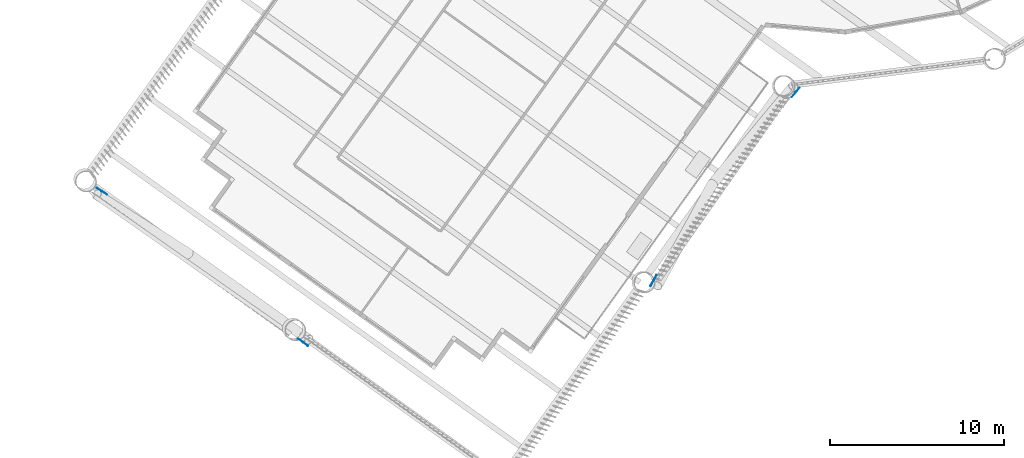
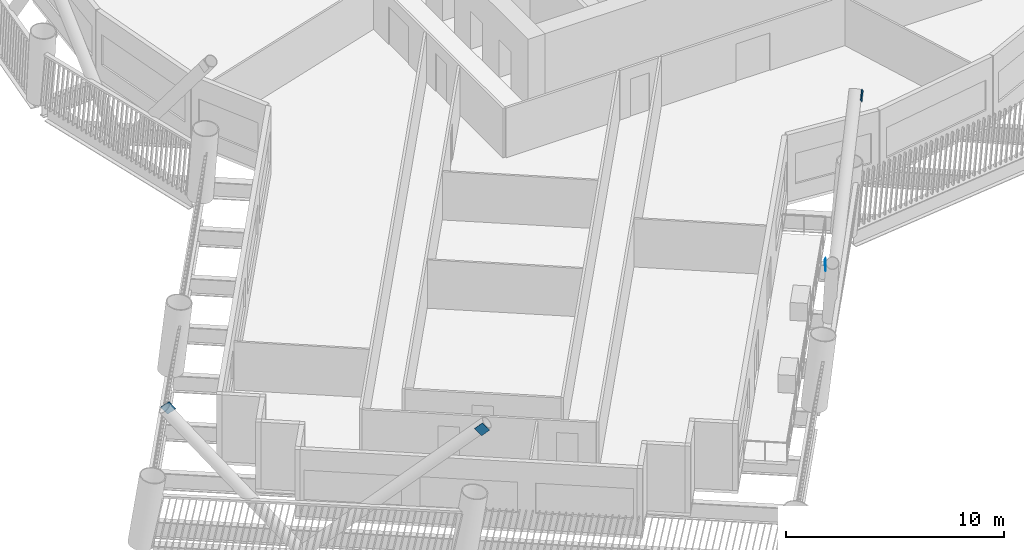
# One storey, part 8 of 21: 4 discrete accessories.
"""IFC4 building model written with IfcOpenShell, lengths in metres."""

from ifc_helpers import new_model, si_unit, direction, frame, origin, origin_2d, place, context, subcontext, project, spatial, rectangle, extrude, material, material_profile, profile_set, type_object, element, save


model = new_model("IFC4")

# Units and contexts
model_context = context("Model", 3, precision=1e-05, world=origin(), true_north=direction((0.0, 1.0)))
body_context = subcontext(model_context, "Body", "Model", "MODEL_VIEW")
ifc_project = project(units=[si_unit("LENGTHUNIT", "METRE"), si_unit("AREAUNIT", "SQUARE_METRE"), si_unit("VOLUMEUNIT", "CUBIC_METRE"), si_unit("PLANEANGLEUNIT", "RADIAN"), si_unit("MASSUNIT", "GRAM", prefix="KILO")], contexts=[model_context])

# Site, building, storey
site_placement = place(None, origin())
site = spatial("IfcSite", under=ifc_project, at=site_placement, CompositionType="ELEMENT")
building_placement = place(site_placement, origin())
building = spatial("IfcBuilding", under=site, at=building_placement, Name="Tarsis Ring Headquarters", CompositionType="ELEMENT")
storey_placement = place(building_placement, frame((0.0, 0.0, 47.800048828125)))
storey = spatial("IfcBuildingStorey", under=building, at=storey_placement, Name="L09", CompositionType="ELEMENT", Elevation=47.800048828125)

# Discrete accessories
ifc_material = material(Name="Structural steel S355", Category="steel")
ifc_material_profile = material_profile(ifc_material, rectangle(XDim=0.02490234375, YDim=0.5, at=origin_2d()), Name="PL 25x500")
ifc_profile_set = profile_set([ifc_material_profile], Name="Structural steel S355")
discrete_accessory_type = type_object("IfcDiscreteAccessoryType", Name="Gusset plate Exo brace 25", PredefinedType="BRACKET", material=ifc_profile_set)
for number, where, z_axis, x_axis, name in (
    (1, (-30.0146484375, -43.82421875, 7.800048828125), (-0.599535479369, 0.428169882253, -0.67618618805), (-0.581175505493, -0.813778244864, 0.0), "Gusset plate GP5"),
    (2, (-41.86962890625, -34.93798828125, 7.800048828125), (0.527247405478, -0.341246237434, -0.778178115122), (0.543347965808, 0.839507586656, 0.0), "Gusset plate GP5"),
    (3, (-1.665771484375, -29.188232421875, 7.800048828125), (-0.435934870537, -0.525269788015, -0.73078891511), (0.769509348926, -0.638635547018, 0.0), "Gusset plate GP5"),
):
    element("IfcDiscreteAccessory", number, at=place(storey_placement, frame(where, z_axis=z_axis, x_axis=x_axis)), inside=storey, type_object=discrete_accessory_type, Name=name, PredefinedType="BRACKET", context=body_context, shape_type="SweptSolid", body=[
        extrude(rectangle(XDim=0.02490234375, YDim=0.5, at=origin_2d()), origin(), (0.0, 0.0, 1.0), 0.5),
    ])
discrete_accessory_placement = place(storey_placement, frame((-10.042724609375, -40.3046875, 7.800048828125), z_axis=(0.311420397755, 0.571100102466, -0.759514324305), x_axis=(-0.877952921046, 0.478746977459, 0.0)))
element("IfcDiscreteAccessory", 4, at=discrete_accessory_placement, inside=storey, type_object=discrete_accessory_type, Name="Gusset plate GP5", PredefinedType="BRACKET", context=body_context, shape_type="SweptSolid", body=[
    extrude(rectangle(XDim=0.02490234375, YDim=0.5, at=origin_2d()), origin(), (0.0, 0.0, 1.0), 0.500244140625),
])

save(model, "model.ifc")
